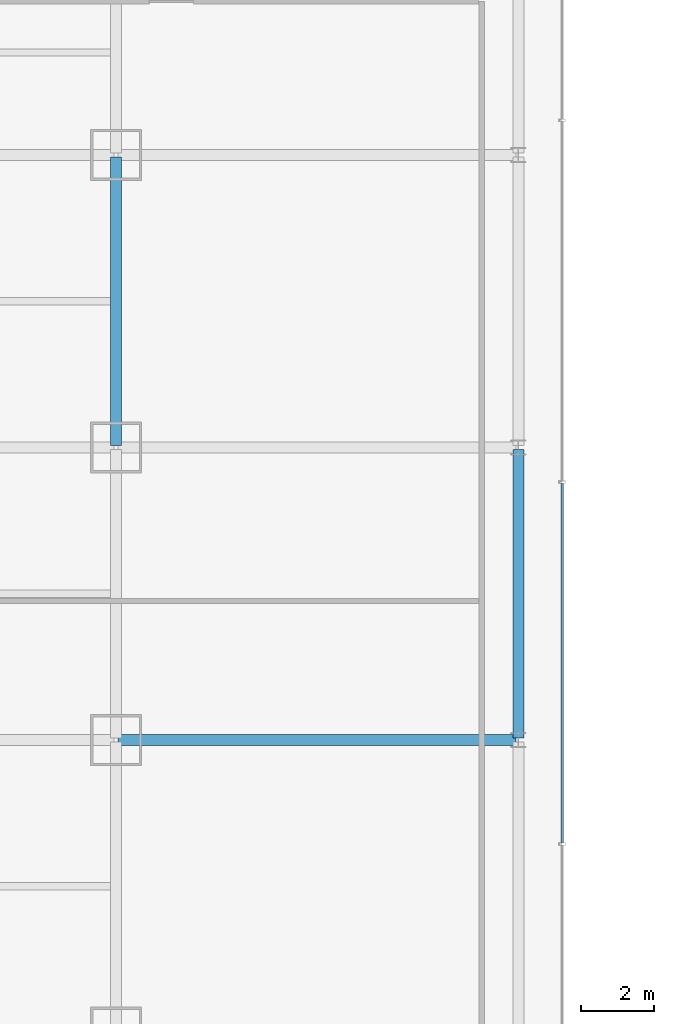
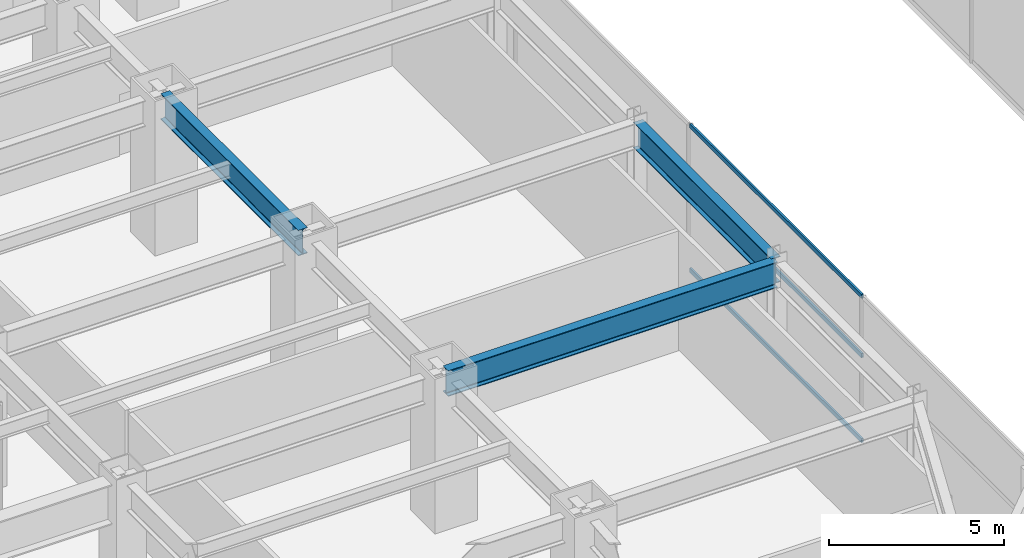
# One storey, part 21 of 51: 3 beams, 3 members, 1 element without a shape of its own.
"""IFC4 building model written with IfcOpenShell, lengths in metres."""

from ifc_helpers import new_model, si_unit, direction, frame, origin, origin_2d, place, context, subcontext, project, spatial, hollow_rectangle, i_section, extrude, material, material_profile, profile_set, type_object, element, aggregate, save


model = new_model("IFC4")

# Units and contexts
model_context = context("Model", 3, precision=1e-05, world=origin(), true_north=direction((0.0, 1.0)))
body_context = subcontext(model_context, "Body", "Model", "MODEL_VIEW")
ifc_project = project(units=[si_unit("LENGTHUNIT", "METRE"), si_unit("AREAUNIT", "SQUARE_METRE"), si_unit("VOLUMEUNIT", "CUBIC_METRE"), si_unit("PLANEANGLEUNIT", "RADIAN"), si_unit("MASSUNIT", "GRAM", prefix="KILO")], contexts=[model_context])

# Site, building, storey
site_placement = place(None, origin())
site = spatial("IfcSite", under=ifc_project, at=site_placement, CompositionType="ELEMENT")
building_placement = place(site_placement, origin())
building = spatial("IfcBuilding", under=site, at=building_placement, Name="Saevonmaru Cultural Tower", CompositionType="ELEMENT")
storey_placement = place(building_placement, frame((0.0, 0.0, 6.0)))
storey = spatial("IfcBuildingStorey", under=building, at=storey_placement, Name="L01", CompositionType="ELEMENT", Elevation=6.0)

# Beams
ifc_material_1 = material(Name="Steel SM420", Category="steel")
ifc_material_profile_1 = material_profile(ifc_material_1, i_section(OverallWidth=0.300048828125, OverallDepth=0.89990234375, WebThickness=0.01611328125, FlangeThickness=0.028076171875, FilletRadius=0.028076171875, at=origin_2d()), Name="H-900x300x16x28")
ifc_profile_set_1 = profile_set([ifc_material_profile_1], Name="Steel SM420")
beam_type = type_object("IfcBeamType", Name="BM-G-H900", PredefinedType="BEAM", material=ifc_profile_set_1)
beam_1_placement = place(storey_placement, frame((47.800048828125, 24.06005859375, 4.64990234375), z_axis=(0.0, 1.0, 0.0), x_axis=(-1.0, 0.0, 0.0)))
element("IfcBeam", 1, at=beam_1_placement, inside=storey, type_object=beam_type, Name="L01 Podium Girder NS4-4", PredefinedType="BEAM", context=body_context, shape_type="SweptSolid", body=[
    extrude(i_section(OverallWidth=0.300048828125, OverallDepth=0.89990234375, WebThickness=0.01611328125, FlangeThickness=0.028076171875, FilletRadius=0.028076171875, at=origin_2d()), origin(), (0.0, 0.0, 1.0), 7.8798828125),
])
beam_2_placement = place(storey_placement, frame((47.860107421875, 16.0, 4.64990234375), z_axis=(1.0, 0.0, 0.0), x_axis=(0.0, 1.0, 0.0)))
element("IfcBeam", 2, at=beam_2_placement, inside=storey, type_object=beam_type, Name="BM-POD-OE-2-L01", PredefinedType="BEAM", context=body_context, shape_type="SweptSolid", body=[
    extrude(i_section(OverallWidth=0.300048828125, OverallDepth=0.89990234375, WebThickness=0.01611328125, FlangeThickness=0.028076171875, FilletRadius=0.028076171875, at=origin_2d()), origin(), (0.0, 0.0, 1.0), 10.8798828125),
])
beam_3_placement = place(storey_placement, frame((58.800048828125, 16.06005859375, 4.64990234375), z_axis=(0.0, 1.0, 0.0), x_axis=(-1.0, 0.0, 0.0)))
element("IfcBeam", 3, at=beam_3_placement, inside=storey, type_object=beam_type, Name="BM-POD-PE-2-L01", PredefinedType="BEAM", context=body_context, shape_type="SweptSolid", body=[
    extrude(i_section(OverallWidth=0.300048828125, OverallDepth=0.89990234375, WebThickness=0.01611328125, FlangeThickness=0.028076171875, FilletRadius=0.028076171875, at=origin_2d()), origin(), (0.0, 0.0, 1.0), 7.8798828125),
])

# Curtain wall, members
ifc_material_2 = material(Name="Satin Bronze Anodised Aluminium", Category="aluminium")
curtain_wall_type = type_object("IfcCurtainWallType", Name="CW-POD-GLZ", PredefinedType="NOTDEFINED", material=ifc_material_2)
curtain_wall_placement = place(storey_placement, origin())
curtain_wall = element("IfcCurtainWall", 4, at=curtain_wall_placement, inside=storey, type_object=curtain_wall_type, Name="L01 Saevon Plaza Curtain Wall", PredefinedType="NOTDEFINED")
ifc_material_profile_2 = material_profile(ifc_material_2, hollow_rectangle(XDim=0.06494140625, YDim=0.14990234375, WallThickness=0.00390625, at=origin_2d()), Name="ALU-TRAN-150x65x4")
ifc_profile_set_2 = profile_set([ifc_material_profile_2], Name="Satin Bronze Anodised Aluminium")
member_type = type_object("IfcMemberType", Name="TR-CW-150x65", PredefinedType="USERDEFINED", material=ifc_profile_set_2)
member_1_placement = place(storey_placement, frame((60.0, 13.1884765625, 0.032470703125), z_axis=(0.0, 1.0, 0.0), x_axis=(-1.0, 0.0, 0.0)))
member_1 = element("IfcMember", 5, at=member_1_placement, type_object=member_type, Name="CW-POD-E-L01 transom 2.1", ObjectType="TRANSOM", PredefinedType="USERDEFINED", context=body_context, shape_type="SweptSolid", body=[
    extrude(hollow_rectangle(XDim=0.06494140625, YDim=0.14990234375, WallThickness=0.00390625, at=origin_2d()), origin(), (0.0, 0.0, 1.0), 9.8310546875),
])
member_2_placement = place(storey_placement, frame((60.0, 13.1884765625, 3.0), z_axis=(0.0, 1.0, 0.0), x_axis=(-1.0, 0.0, 0.0)))
member_2 = element("IfcMember", 6, at=member_2_placement, type_object=member_type, Name="CW-POD-E-L01 transom 2.2", ObjectType="TRANSOM", PredefinedType="USERDEFINED", context=body_context, shape_type="SweptSolid", body=[
    extrude(hollow_rectangle(XDim=0.06494140625, YDim=0.14990234375, WallThickness=0.00390625, at=origin_2d()), origin(), (0.0, 0.0, 1.0), 9.8310546875),
])
member_3_placement = place(storey_placement, frame((60.0, 13.1884765625, 5.0673828125), z_axis=(0.0, 1.0, 0.0), x_axis=(-1.0, 0.0, 0.0)))
member_3 = element("IfcMember", 7, at=member_3_placement, type_object=member_type, Name="CW-POD-E-L01 transom 2.3", ObjectType="TRANSOM", PredefinedType="USERDEFINED", context=body_context, shape_type="SweptSolid", body=[
    extrude(hollow_rectangle(XDim=0.06494140625, YDim=0.14990234375, WallThickness=0.00390625, at=origin_2d()), origin(), (0.0, 0.0, 1.0), 9.8310546875),
])
aggregate(curtain_wall, [member_1, member_2, member_3])

save(model, "model.ifc")
